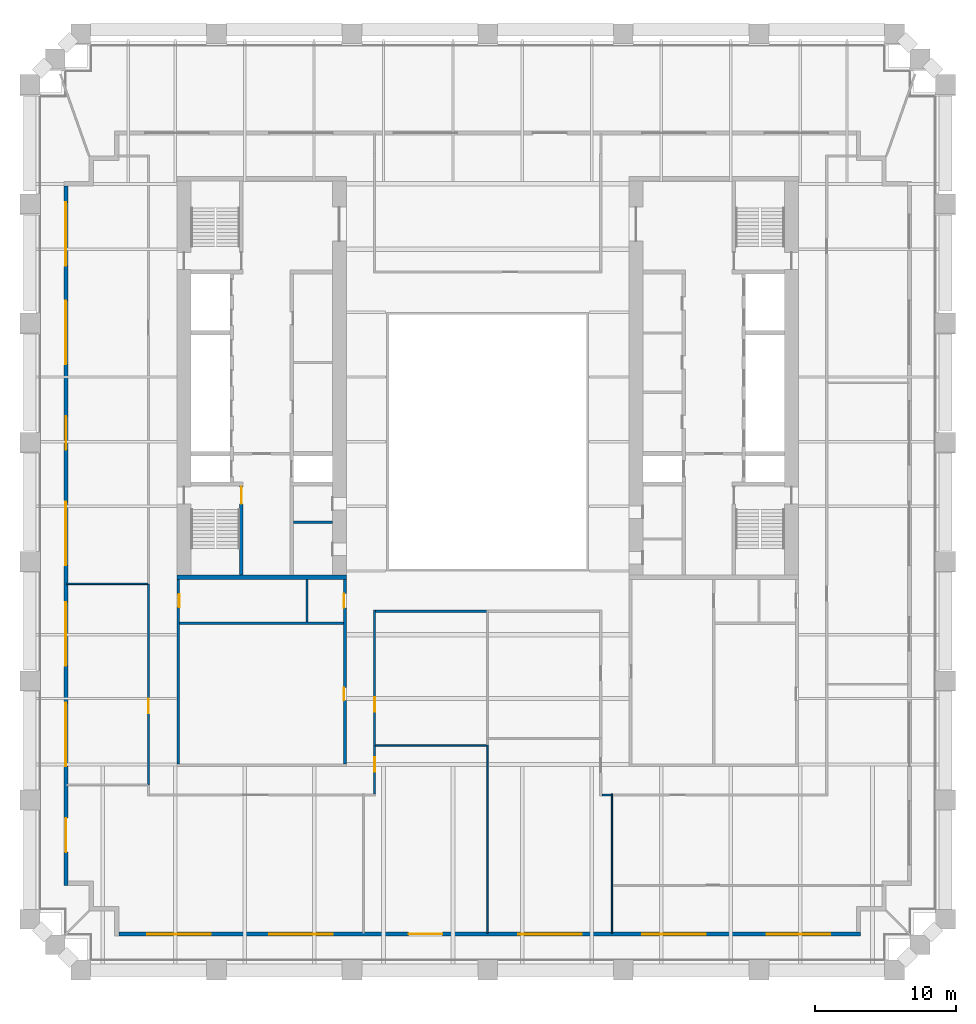
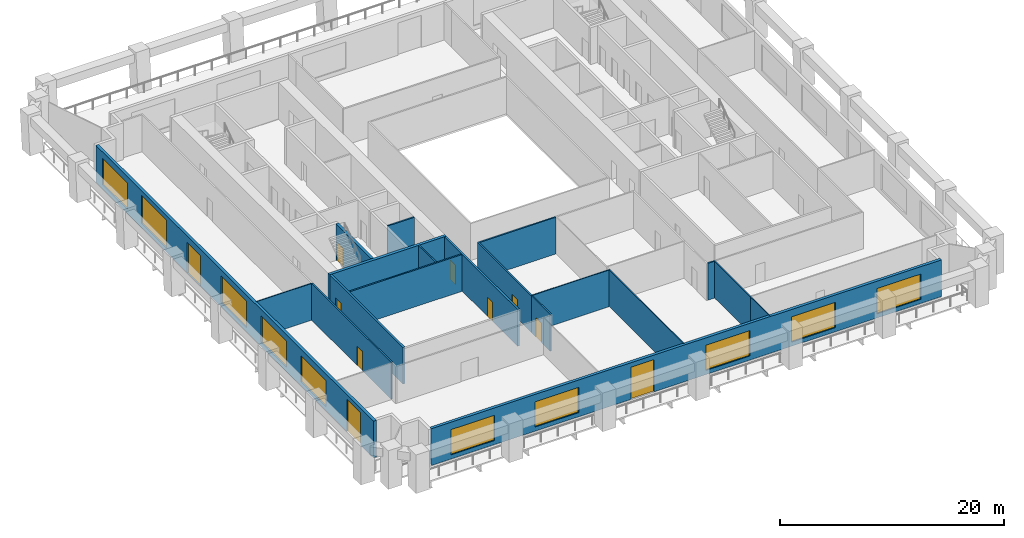
# One storey, part 3 of 8: 19 walls, 10 doors, 10 windows, 20 openings.
"""IFC4 building model written with IfcOpenShell, lengths in metres."""

from ifc_helpers import new_model, si_unit, direction, frame, frame_2d, origin, place, context, subcontext, project, spatial, rectangle, extrude, material, layer, layer_set, type_object, element, fill, save


model = new_model("IFC4")

# Units and contexts
model_context = context("Model", 3, precision=1e-05, world=origin(), true_north=direction((0.0, 1.0)))
body_context = subcontext(model_context, "Body", "Model", "MODEL_VIEW")
ifc_project = project(units=[si_unit("LENGTHUNIT", "METRE"), si_unit("AREAUNIT", "SQUARE_METRE"), si_unit("VOLUMEUNIT", "CUBIC_METRE"), si_unit("PLANEANGLEUNIT", "RADIAN"), si_unit("MASSUNIT", "GRAM", prefix="KILO")], contexts=[model_context])

# Site, building, storey
site_placement = place(None, origin())
site = spatial("IfcSite", under=ifc_project, at=site_placement, CompositionType="ELEMENT")
building_placement = place(site_placement, origin())
building = spatial("IfcBuilding", under=site, at=building_placement, Name="Ogive Exchange Tower", CompositionType="ELEMENT")
storey_placement = place(building_placement, frame((0.0, 0.0, 81.60009765625)))
storey = spatial("IfcBuildingStorey", under=building, at=storey_placement, Name="L17", CompositionType="ELEMENT", Elevation=81.60009765625)

# Walls
ifc_material_1 = material(Name="Gypsum board partition")
ifc_layer_1 = layer(ifc_material_1, 0.14990234375)
ifc_layer_set_1 = layer_set([ifc_layer_1], Name="Core room partition 150 gypsum")
wall_type_1 = type_object("IfcWallType", Name="Core room partition 150 gypsum", PredefinedType="PARTITIONING", material=ifc_layer_set_1)
wall_1_placement = place(storey_placement, frame((-13.75, 1.300048828125, 0.0), z_axis=(0.0, 0.0, 1.0), x_axis=(1.0, 0.0, 0.0)))
element("IfcWall", 1, at=wall_1_placement, inside=storey, type_object=wall_type_1, Name="W south room partition", PredefinedType="PARTITIONING", context=body_context, shape_type="SweptSolid", body=[
    extrude(rectangle(XDim=2.75, YDim=0.14990234375, at=frame_2d((1.375, 0.0))), origin(), (0.0, 0.0, 1.0), 4.0),
])
wall_2_placement = place(storey_placement, frame((-21.800048828125, -5.85009765625, 0.0), z_axis=(0.0, 0.0, 1.0), x_axis=(1.0, 0.0, 0.0)))
element("IfcWall", 2, at=wall_2_placement, inside=storey, type_object=wall_type_1, Name="W annex S wc strip wall 00", PredefinedType="PARTITIONING", context=body_context, shape_type="SweptSolid", body=[
    extrude(rectangle(XDim=11.60009765625, YDim=0.14990234375, at=frame_2d((5.800048828125, 0.0))), origin(), (0.0, 0.0, 1.0), 4.0),
])
wall_3_placement = place(storey_placement, frame((-12.800048828125, -5.77490234375, 0.0), z_axis=(0.0, 0.0, 1.0), x_axis=(0.0, 1.0, 0.0)))
element("IfcWall", 3, at=wall_3_placement, inside=storey, type_object=wall_type_1, Name="W annex S wc partition 00", PredefinedType="PARTITIONING", context=body_context, shape_type="SweptSolid", body=[
    extrude(rectangle(XDim=3.02490234375, YDim=0.14990234375, at=frame_2d((1.512451171875, 0.0))), origin(), (0.0, 0.0, 1.0), 4.0),
])

# Wall, opening, door
ifc_material_2 = material(Name="Fire partition EI 60 150")
ifc_layer_2 = layer(ifc_material_2, 0.14990234375)
ifc_layer_set_2 = layer_set([ifc_layer_2], Name="Fire partition EI 60 150")
wall_type_2 = type_object("IfcWallType", Name="Fire partition EI 60 150", PredefinedType="PARTITIONING", material=ifc_layer_set_2)
wall_4_placement = place(storey_placement, frame((-24.0, -17.2900390625, 0.0), z_axis=(0.0, 0.0, 1.0), x_axis=(0.0, 1.0, 0.0)))
wall_4 = element("IfcWall", 4, at=wall_4_placement, inside=storey, type_object=wall_type_2, Name="L17-PWL-003", PredefinedType="PARTITIONING", context=body_context, shape_type="SweptSolid", body=[
    extrude(rectangle(XDim=14.22998046875, YDim=0.14990234375, at=frame_2d((7.114990234375, 0.0))), origin(), (0.0, 0.0, 1.0), 4.0),
])
opening_1_placement = place(wall_4_placement, frame((5.080078125, 0.0, 0.0)))
opening_1 = element("IfcOpeningElement", 5, at=opening_1_placement, cuts=wall_4, Name="Opening L17-I11", PredefinedType="OPENING", context=body_context, shape_type="SweptSolid", body=[
    extrude(rectangle(XDim=1.0, YDim=2.10009765625, at=frame_2d((0.5, 1.050048828125))), frame((0.0, 0.0849609375, 0.0), z_axis=(0.0, -1.0, 0.0), x_axis=(1.0, 0.0, 0.0)), (0.0, 0.0, 1.0), 0.169921875),
])
ifc_material_3 = material(Name="Fire door FD 30S 1000 x 2100")
door_type_1 = type_object("IfcDoorType", Name="Fire door FD 30S 1000 x 2100", OperationType="NOTDEFINED", PredefinedType="DOOR", material=ifc_material_3)
door_1_placement = place(opening_1_placement, origin())
door_1 = element("IfcDoor", 6, at=door_1_placement, inside=storey, type_object=door_type_1, Name="L17-IDR-011", ObjectType="DT3", OperationType="SINGLE_SWING_LEFT", OverallHeight=2.10009765625, OverallWidth=1.0, PredefinedType="DOOR", context=body_context, shape_type="SweptSolid", body=[
    extrude(rectangle(XDim=1.0, YDim=2.10009765625, at=frame_2d((0.5, 1.050048828125))), frame((0.0, 0.02490234375, 0.0), z_axis=(0.0, -1.0, 0.0), x_axis=(1.0, 0.0, 0.0)), (0.0, 0.0, 1.0), 0.050048828125),
])
fill(opening_1, door_1)

wall_5_placement = place(storey_placement, frame((-8.0, -14.550048828125, 0.0), z_axis=(0.0, 0.0, 1.0), x_axis=(0.0, -1.0, 0.0)))
wall_5 = element("IfcWall", 7, at=wall_5_placement, inside=storey, type_object=wall_type_2, Name="L17-PWL-011", PredefinedType="PARTITIONING", context=body_context, shape_type="SweptSolid", body=[
    extrude(rectangle(XDim=3.375, YDim=0.14990234375, at=frame_2d((1.6875, 0.0))), origin(), (0.0, 0.0, 1.0), 4.0),
])
opening_2_placement = place(wall_5_placement, frame((0.800048828125, 0.0, 0.0)))
opening_2 = element("IfcOpeningElement", 8, at=opening_2_placement, cuts=wall_5, Name="Opening L17-I08", PredefinedType="OPENING", context=body_context, shape_type="SweptSolid", body=[
    extrude(rectangle(XDim=1.0, YDim=2.10009765625, at=frame_2d((0.5, 1.050048828125))), frame((0.0, 0.0849609375, 0.0), z_axis=(0.0, -1.0, 0.0), x_axis=(1.0, 0.0, 0.0)), (0.0, 0.0, 1.0), 0.169921875),
])
door_2_placement = place(opening_2_placement, origin())
door_2 = element("IfcDoor", 9, at=door_2_placement, inside=storey, type_object=door_type_1, Name="L17-IDR-008", ObjectType="DT3", OperationType="SINGLE_SWING_RIGHT", OverallHeight=2.10009765625, OverallWidth=1.0, PredefinedType="DOOR", context=body_context, shape_type="SweptSolid", body=[
    extrude(rectangle(XDim=1.0, YDim=2.10009765625, at=frame_2d((0.5, 1.050048828125))), frame((0.0, 0.02490234375, 0.0), z_axis=(0.0, -1.0, 0.0), x_axis=(1.0, 0.0, 0.0)), (0.0, 0.0, 1.0), 0.050048828125),
])
fill(opening_2, door_2)

wall_6_placement = place(storey_placement, frame((-8.0, -4.925048828125, 0.0), z_axis=(0.0, 0.0, 1.0), x_axis=(0.0, -1.0, 0.0)))
wall_6 = element("IfcWall", 10, at=wall_6_placement, inside=storey, type_object=wall_type_2, Name="L17-PWL-012", PredefinedType="PARTITIONING", context=body_context, shape_type="SweptSolid", body=[
    extrude(rectangle(XDim=9.625, YDim=0.14990234375, at=frame_2d((4.8125, 0.0))), origin(), (0.0, 0.0, 1.0), 4.0),
])
opening_3_placement = place(wall_6_placement, frame((6.175048828125, 0.0, 0.0)))
opening_3 = element("IfcOpeningElement", 11, at=opening_3_placement, cuts=wall_6, Name="Opening L17-I07", PredefinedType="OPENING", context=body_context, shape_type="SweptSolid", body=[
    extrude(rectangle(XDim=1.0, YDim=2.10009765625, at=frame_2d((0.5, 1.050048828125))), frame((0.0, 0.0849609375, 0.0), z_axis=(0.0, -1.0, 0.0), x_axis=(1.0, 0.0, 0.0)), (0.0, 0.0, 1.0), 0.169921875),
])
door_3_placement = place(opening_3_placement, origin())
door_3 = element("IfcDoor", 12, at=door_3_placement, inside=storey, type_object=door_type_1, Name="L17-IDR-007", ObjectType="DT3", OperationType="SINGLE_SWING_LEFT", OverallHeight=2.10009765625, OverallWidth=1.0, PredefinedType="DOOR", context=body_context, shape_type="SweptSolid", body=[
    extrude(rectangle(XDim=1.0, YDim=2.10009765625, at=frame_2d((0.5, 1.050048828125))), frame((0.0, 0.02490234375, 0.0), z_axis=(0.0, -1.0, 0.0), x_axis=(1.0, 0.0, 0.0)), (0.0, 0.0, 1.0), 0.050048828125),
])
fill(opening_3, door_3)

# Walls
wall_7_placement = place(storey_placement, frame((-0.050048828125, -5.0, 0.0), z_axis=(0.0, 0.0, 1.0), x_axis=(-1.0, 0.0, 0.0)))
element("IfcWall", 13, at=wall_7_placement, inside=storey, type_object=wall_type_2, Name="L17-PWL-020", PredefinedType="PARTITIONING", context=body_context, shape_type="SweptSolid", body=[
    extrude(rectangle(XDim=7.875, YDim=0.14990234375, at=frame_2d((3.9375, 0.0))), origin(), (0.0, 0.0, 1.0), 4.0),
])
wall_8_placement = place(storey_placement, frame((8.75, -18.0, 0.0), z_axis=(0.0, 0.0, 1.0), x_axis=(-1.0, 0.0, 0.0)))
element("IfcWall", 14, at=wall_8_placement, inside=storey, type_object=wall_type_2, Name="L17-PWL-029", PredefinedType="PARTITIONING", context=body_context, shape_type="SweptSolid", body=[
    extrude(rectangle(XDim=0.675048828125, YDim=0.14990234375, at=frame_2d((0.33740234375, 0.0))), origin(), (0.0, 0.0, 1.0), 4.0),
])

# Wall, openings, door, windows
ifc_material_4 = material(Name="Precast concrete C40/50", Category="concrete")
ifc_layer_3 = layer(ifc_material_4, 0.300048828125)
ifc_layer_set_3 = layer_set([ifc_layer_3], Name="Limestone-faced wall 300")
wall_type_3 = type_object("IfcWallType", Name="Limestone-faced wall 300", PredefinedType="STANDARD", material=ifc_layer_set_3)
wall_9_placement = place(storey_placement, frame((-26.10009765625, -27.85009765625, 0.0), z_axis=(0.0, 0.0, 1.0), x_axis=(1.0, 0.0, 0.0)))
wall_9 = element("IfcWall", 15, at=wall_9_placement, inside=storey, type_object=wall_type_3, Name="External wall S1", PredefinedType="STANDARD", context=body_context, shape_type="SweptSolid", body=[
    extrude(rectangle(XDim=52.5, YDim=0.300048828125, at=frame_2d((26.25, 0.0))), origin(), (0.0, 0.0, 1.0), 4.0),
])
opening_4_placement = place(wall_9_placement, frame((2.0, 0.0, 0.449951171875)))
opening_4 = element("IfcOpeningElement", 16, at=opening_4_placement, cuts=wall_9, Name="Opening W1H", PredefinedType="OPENING", context=body_context, shape_type="SweptSolid", body=[
    extrude(rectangle(XDim=4.5, YDim=2.75, at=frame_2d((2.25, 1.375))), frame((0.0, 0.159912109375, 0.0), z_axis=(0.0, -1.0, 0.0), x_axis=(1.0, 0.0, 0.0)), (0.0, 0.0, 1.0), 0.320068359375),
])
opening_5_placement = place(wall_9_placement, frame((10.64990234375, 0.0, 0.449951171875)))
opening_5 = element("IfcOpeningElement", 17, at=opening_5_placement, cuts=wall_9, Name="Opening W1H", PredefinedType="OPENING", context=body_context, shape_type="SweptSolid", body=[
    extrude(rectangle(XDim=4.5, YDim=2.75, at=frame_2d((2.25, 1.375))), frame((0.0, 0.159912109375, 0.0), z_axis=(0.0, -1.0, 0.0), x_axis=(1.0, 0.0, 0.0)), (0.0, 0.0, 1.0), 0.320068359375),
])
opening_6_placement = place(wall_9_placement, frame((20.5, 0.0, 0.0)))
opening_6 = element("IfcOpeningElement", 18, at=opening_6_placement, cuts=wall_9, Name="Opening D1", PredefinedType="OPENING", context=body_context, shape_type="SweptSolid", body=[
    extrude(rectangle(XDim=2.39990234375, YDim=3.5, at=frame_2d((1.199951171875, 1.75))), frame((0.0, 0.159912109375, 0.0), z_axis=(0.0, -1.0, 0.0), x_axis=(1.0, 0.0, 0.0)), (0.0, 0.0, 1.0), 0.320068359375),
])
opening_7_placement = place(wall_9_placement, frame((28.25, 0.0, 0.449951171875)))
opening_7 = element("IfcOpeningElement", 19, at=opening_7_placement, cuts=wall_9, Name="Opening W1H", PredefinedType="OPENING", context=body_context, shape_type="SweptSolid", body=[
    extrude(rectangle(XDim=4.5, YDim=2.75, at=frame_2d((2.25, 1.375))), frame((0.0, 0.159912109375, 0.0), z_axis=(0.0, -1.0, 0.0), x_axis=(1.0, 0.0, 0.0)), (0.0, 0.0, 1.0), 0.320068359375),
])
opening_8_placement = place(wall_9_placement, frame((37.050048828125, 0.0, 0.449951171875)))
opening_8 = element("IfcOpeningElement", 20, at=opening_8_placement, cuts=wall_9, Name="Opening W1H", PredefinedType="OPENING", context=body_context, shape_type="SweptSolid", body=[
    extrude(rectangle(XDim=4.5, YDim=2.75, at=frame_2d((2.25, 1.375))), frame((0.0, 0.159912109375, 0.0), z_axis=(0.0, -1.0, 0.0), x_axis=(1.0, 0.0, 0.0)), (0.0, 0.0, 1.0), 0.320068359375),
])
opening_9_placement = place(wall_9_placement, frame((45.85009765625, 0.0, 0.449951171875)))
opening_9 = element("IfcOpeningElement", 21, at=opening_9_placement, cuts=wall_9, Name="Opening W1H", PredefinedType="OPENING", context=body_context, shape_type="SweptSolid", body=[
    extrude(rectangle(XDim=4.5, YDim=2.75, at=frame_2d((2.25, 1.375))), frame((0.0, 0.159912109375, 0.0), z_axis=(0.0, -1.0, 0.0), x_axis=(1.0, 0.0, 0.0)), (0.0, 0.0, 1.0), 0.320068359375),
])
ifc_material_5 = material(Name="Clear glass in bronze frame", Category="glass")
door_type_2 = type_object("IfcDoorType", Name="Sliding loggia door 2400 x 3500", OperationType="DOUBLE_DOOR_SLIDING", PredefinedType="DOOR", material=ifc_material_5)
door_4_placement = place(opening_6_placement, origin())
door_4 = element("IfcDoor", 22, at=door_4_placement, inside=storey, type_object=door_type_2, Name="Loggia door S02", OperationType="DOUBLE_DOOR_SLIDING", OverallHeight=3.5, OverallWidth=2.39990234375, PredefinedType="DOOR", context=body_context, shape_type="SweptSolid", body=[
    extrude(rectangle(XDim=2.39990234375, YDim=3.5, at=frame_2d((1.199951171875, 1.75))), frame((0.0, 0.02490234375, 0.0), z_axis=(0.0, -1.0, 0.0), x_axis=(1.0, 0.0, 0.0)), (0.0, 0.0, 1.0), 0.050048828125),
])
fill(opening_6, door_4)
window_type_1 = type_object("IfcWindowType", Name="Twin lancet window 4500 x 2750", PartitioningType="DOUBLE_PANEL_VERTICAL", PredefinedType="WINDOW", material=ifc_material_5)
window_1_placement = place(opening_4_placement, origin())
window_1 = element("IfcWindow", 23, at=window_1_placement, inside=storey, type_object=window_type_1, Name="Window S00", OverallHeight=2.75, OverallWidth=4.5, PartitioningType="DOUBLE_PANEL_VERTICAL", PredefinedType="WINDOW", context=body_context, shape_type="SweptSolid", body=[
    extrude(rectangle(XDim=4.5, YDim=2.75, at=frame_2d((2.25, 1.375))), frame((0.0, 0.030029296875, 0.0), z_axis=(0.0, -1.0, 0.0), x_axis=(1.0, 0.0, 0.0)), (0.0, 0.0, 1.0), 0.06005859375),
])
fill(opening_4, window_1)
window_2_placement = place(opening_5_placement, origin())
window_2 = element("IfcWindow", 24, at=window_2_placement, inside=storey, type_object=window_type_1, Name="Window S01", OverallHeight=2.75, OverallWidth=4.5, PartitioningType="DOUBLE_PANEL_VERTICAL", PredefinedType="WINDOW", context=body_context, shape_type="SweptSolid", body=[
    extrude(rectangle(XDim=4.5, YDim=2.75, at=frame_2d((2.25, 1.375))), frame((0.0, 0.030029296875, 0.0), z_axis=(0.0, -1.0, 0.0), x_axis=(1.0, 0.0, 0.0)), (0.0, 0.0, 1.0), 0.06005859375),
])
fill(opening_5, window_2)
window_3_placement = place(opening_7_placement, origin())
window_3 = element("IfcWindow", 25, at=window_3_placement, inside=storey, type_object=window_type_1, Name="Window S03", OverallHeight=2.75, OverallWidth=4.5, PartitioningType="DOUBLE_PANEL_VERTICAL", PredefinedType="WINDOW", context=body_context, shape_type="SweptSolid", body=[
    extrude(rectangle(XDim=4.5, YDim=2.75, at=frame_2d((2.25, 1.375))), frame((0.0, 0.030029296875, 0.0), z_axis=(0.0, -1.0, 0.0), x_axis=(1.0, 0.0, 0.0)), (0.0, 0.0, 1.0), 0.06005859375),
])
fill(opening_7, window_3)
window_4_placement = place(opening_8_placement, origin())
window_4 = element("IfcWindow", 26, at=window_4_placement, inside=storey, type_object=window_type_1, Name="Window S04", OverallHeight=2.75, OverallWidth=4.5, PartitioningType="DOUBLE_PANEL_VERTICAL", PredefinedType="WINDOW", context=body_context, shape_type="SweptSolid", body=[
    extrude(rectangle(XDim=4.5, YDim=2.75, at=frame_2d((2.25, 1.375))), frame((0.0, 0.030029296875, 0.0), z_axis=(0.0, -1.0, 0.0), x_axis=(1.0, 0.0, 0.0)), (0.0, 0.0, 1.0), 0.06005859375),
])
fill(opening_8, window_4)
window_5_placement = place(opening_9_placement, origin())
window_5 = element("IfcWindow", 27, at=window_5_placement, inside=storey, type_object=window_type_1, Name="Window S05", OverallHeight=2.75, OverallWidth=4.5, PartitioningType="DOUBLE_PANEL_VERTICAL", PredefinedType="WINDOW", context=body_context, shape_type="SweptSolid", body=[
    extrude(rectangle(XDim=4.5, YDim=2.75, at=frame_2d((2.25, 1.375))), frame((0.0, 0.030029296875, 0.0), z_axis=(0.0, -1.0, 0.0), x_axis=(1.0, 0.0, 0.0)), (0.0, 0.0, 1.0), 0.06005859375),
])
fill(opening_9, window_5)

# Wall, openings, doors, windows
wall_10_placement = place(storey_placement, frame((-29.85009765625, 25.10009765625, 0.0), z_axis=(0.0, 0.0, 1.0), x_axis=(0.0, -1.0, 0.0)))
wall_10 = element("IfcWall", 28, at=wall_10_placement, inside=storey, type_object=wall_type_3, Name="External wall W4", PredefinedType="STANDARD", context=body_context, shape_type="SweptSolid", body=[
    extrude(rectangle(XDim=49.5, YDim=0.300048828125, at=frame_2d((24.75, 0.0))), origin(), (0.0, 0.0, 1.0), 4.0),
])
opening_10_placement = place(wall_10_placement, frame((1.156982421875, 0.0, 0.449951171875)))
opening_10 = element("IfcOpeningElement", 29, at=opening_10_placement, cuts=wall_10, Name="Opening W1D", PredefinedType="OPENING", context=body_context, shape_type="SweptSolid", body=[
    extrude(rectangle(XDim=4.5, YDim=2.875, at=frame_2d((2.25, 1.4375))), frame((0.0, 0.159912109375, 0.0), z_axis=(0.0, -1.0, 0.0), x_axis=(1.0, 0.0, 0.0)), (0.0, 0.0, 1.0), 0.320068359375),
])
opening_11_placement = place(wall_10_placement, frame((8.121337890625, 0.0, 0.449951171875)))
opening_11 = element("IfcOpeningElement", 30, at=opening_11_placement, cuts=wall_10, Name="Opening W1", PredefinedType="OPENING", context=body_context, shape_type="SweptSolid", body=[
    extrude(rectangle(XDim=4.5, YDim=3.050048828125, at=frame_2d((2.25, 1.52490234375))), frame((0.0, 0.159912109375, 0.0), z_axis=(0.0, -1.0, 0.0), x_axis=(1.0, 0.0, 0.0)), (0.0, 0.0, 1.0), 0.320068359375),
])
opening_12_placement = place(wall_10_placement, frame((16.28564453125, 0.0, 0.0)))
opening_12 = element("IfcOpeningElement", 31, at=opening_12_placement, cuts=wall_10, Name="Opening D1C", PredefinedType="OPENING", context=body_context, shape_type="SweptSolid", body=[
    extrude(rectangle(XDim=2.39990234375, YDim=3.324951171875, at=frame_2d((1.199951171875, 1.66259765625))), frame((0.0, 0.159912109375, 0.0), z_axis=(0.0, -1.0, 0.0), x_axis=(1.0, 0.0, 0.0)), (0.0, 0.0, 1.0), 0.320068359375),
])
opening_13_placement = place(wall_10_placement, frame((22.35009765625, 0.0, 0.449951171875)))
opening_13 = element("IfcOpeningElement", 32, at=opening_13_placement, cuts=wall_10, Name="Opening W1D", PredefinedType="OPENING", context=body_context, shape_type="SweptSolid", body=[
    extrude(rectangle(XDim=4.5, YDim=2.875, at=frame_2d((2.25, 1.4375))), frame((0.0, 0.159912109375, 0.0), z_axis=(0.0, -1.0, 0.0), x_axis=(1.0, 0.0, 0.0)), (0.0, 0.0, 1.0), 0.320068359375),
])
opening_14_placement = place(wall_10_placement, frame((29.464111328125, 0.0, 0.449951171875)))
opening_14 = element("IfcOpeningElement", 33, at=opening_14_placement, cuts=wall_10, Name="Opening W1D", PredefinedType="OPENING", context=body_context, shape_type="SweptSolid", body=[
    extrude(rectangle(XDim=4.5, YDim=2.875, at=frame_2d((2.25, 1.4375))), frame((0.0, 0.159912109375, 0.0), z_axis=(0.0, -1.0, 0.0), x_axis=(1.0, 0.0, 0.0)), (0.0, 0.0, 1.0), 0.320068359375),
])
opening_15_placement = place(wall_10_placement, frame((36.57861328125, 0.0, 0.449951171875)))
opening_15 = element("IfcOpeningElement", 34, at=opening_15_placement, cuts=wall_10, Name="Opening W1E", PredefinedType="OPENING", context=body_context, shape_type="SweptSolid", body=[
    extrude(rectangle(XDim=4.5, YDim=2.824951171875, at=frame_2d((2.25, 1.41259765625))), frame((0.0, 0.159912109375, 0.0), z_axis=(0.0, -1.0, 0.0), x_axis=(1.0, 0.0, 0.0)), (0.0, 0.0, 1.0), 0.320068359375),
])
opening_16_placement = place(wall_10_placement, frame((44.742919921875, 0.0, 0.0)))
opening_16 = element("IfcOpeningElement", 35, at=opening_16_placement, cuts=wall_10, Name="Opening D1", PredefinedType="OPENING", context=body_context, shape_type="SweptSolid", body=[
    extrude(rectangle(XDim=2.39990234375, YDim=3.5, at=frame_2d((1.199951171875, 1.75))), frame((0.0, 0.159912109375, 0.0), z_axis=(0.0, -1.0, 0.0), x_axis=(1.0, 0.0, 0.0)), (0.0, 0.0, 1.0), 0.320068359375),
])
door_type_3 = type_object("IfcDoorType", Name="Sliding loggia door 2400 x 3325", OperationType="DOUBLE_DOOR_SLIDING", PredefinedType="DOOR", material=ifc_material_5)
door_5_placement = place(opening_12_placement, origin())
door_5 = element("IfcDoor", 36, at=door_5_placement, inside=storey, type_object=door_type_3, Name="Loggia door W02", OperationType="DOUBLE_DOOR_SLIDING", OverallHeight=3.324951171875, OverallWidth=2.39990234375, PredefinedType="DOOR", context=body_context, shape_type="SweptSolid", body=[
    extrude(rectangle(XDim=2.39990234375, YDim=3.324951171875, at=frame_2d((1.199951171875, 1.66259765625))), frame((0.0, 0.02490234375, 0.0), z_axis=(0.0, -1.0, 0.0), x_axis=(1.0, 0.0, 0.0)), (0.0, 0.0, 1.0), 0.050048828125),
])
fill(opening_12, door_5)
door_6_placement = place(opening_16_placement, origin())
door_6 = element("IfcDoor", 37, at=door_6_placement, inside=storey, type_object=door_type_2, Name="Loggia door W06", OperationType="DOUBLE_DOOR_SLIDING", OverallHeight=3.5, OverallWidth=2.39990234375, PredefinedType="DOOR", context=body_context, shape_type="SweptSolid", body=[
    extrude(rectangle(XDim=2.39990234375, YDim=3.5, at=frame_2d((1.199951171875, 1.75))), frame((0.0, 0.02490234375, 0.0), z_axis=(0.0, -1.0, 0.0), x_axis=(1.0, 0.0, 0.0)), (0.0, 0.0, 1.0), 0.050048828125),
])
fill(opening_16, door_6)
window_type_2 = type_object("IfcWindowType", Name="Twin lancet window 4500 x 2825", PartitioningType="DOUBLE_PANEL_VERTICAL", PredefinedType="WINDOW", material=ifc_material_5)
window_6_placement = place(opening_15_placement, origin())
window_6 = element("IfcWindow", 38, at=window_6_placement, inside=storey, type_object=window_type_2, Name="Window W05", OverallHeight=2.824951171875, OverallWidth=4.5, PartitioningType="DOUBLE_PANEL_VERTICAL", PredefinedType="WINDOW", context=body_context, shape_type="SweptSolid", body=[
    extrude(rectangle(XDim=4.5, YDim=2.824951171875, at=frame_2d((2.25, 1.41259765625))), frame((0.0, 0.030029296875, 0.0), z_axis=(0.0, -1.0, 0.0), x_axis=(1.0, 0.0, 0.0)), (0.0, 0.0, 1.0), 0.06005859375),
])
fill(opening_15, window_6)
window_type_3 = type_object("IfcWindowType", Name="Twin lancet window 4500 x 2875", PartitioningType="DOUBLE_PANEL_VERTICAL", PredefinedType="WINDOW", material=ifc_material_5)
window_7_placement = place(opening_10_placement, origin())
window_7 = element("IfcWindow", 39, at=window_7_placement, inside=storey, type_object=window_type_3, Name="Window W00", OverallHeight=2.875, OverallWidth=4.5, PartitioningType="DOUBLE_PANEL_VERTICAL", PredefinedType="WINDOW", context=body_context, shape_type="SweptSolid", body=[
    extrude(rectangle(XDim=4.5, YDim=2.875, at=frame_2d((2.25, 1.4375))), frame((0.0, 0.030029296875, 0.0), z_axis=(0.0, -1.0, 0.0), x_axis=(1.0, 0.0, 0.0)), (0.0, 0.0, 1.0), 0.06005859375),
])
fill(opening_10, window_7)
window_8_placement = place(opening_13_placement, origin())
window_8 = element("IfcWindow", 40, at=window_8_placement, inside=storey, type_object=window_type_3, Name="Window W03", OverallHeight=2.875, OverallWidth=4.5, PartitioningType="DOUBLE_PANEL_VERTICAL", PredefinedType="WINDOW", context=body_context, shape_type="SweptSolid", body=[
    extrude(rectangle(XDim=4.5, YDim=2.875, at=frame_2d((2.25, 1.4375))), frame((0.0, 0.030029296875, 0.0), z_axis=(0.0, -1.0, 0.0), x_axis=(1.0, 0.0, 0.0)), (0.0, 0.0, 1.0), 0.06005859375),
])
fill(opening_13, window_8)
window_9_placement = place(opening_14_placement, origin())
window_9 = element("IfcWindow", 41, at=window_9_placement, inside=storey, type_object=window_type_3, Name="Window W04", OverallHeight=2.875, OverallWidth=4.5, PartitioningType="DOUBLE_PANEL_VERTICAL", PredefinedType="WINDOW", context=body_context, shape_type="SweptSolid", body=[
    extrude(rectangle(XDim=4.5, YDim=2.875, at=frame_2d((2.25, 1.4375))), frame((0.0, 0.030029296875, 0.0), z_axis=(0.0, -1.0, 0.0), x_axis=(1.0, 0.0, 0.0)), (0.0, 0.0, 1.0), 0.06005859375),
])
fill(opening_14, window_9)
window_type_4 = type_object("IfcWindowType", Name="Twin lancet window 4500 x 3050", PartitioningType="DOUBLE_PANEL_VERTICAL", PredefinedType="WINDOW", material=ifc_material_5)
window_10_placement = place(opening_11_placement, origin())
window_10 = element("IfcWindow", 42, at=window_10_placement, inside=storey, type_object=window_type_4, Name="Window W01", OverallHeight=3.050048828125, OverallWidth=4.5, PartitioningType="DOUBLE_PANEL_VERTICAL", PredefinedType="WINDOW", context=body_context, shape_type="SweptSolid", body=[
    extrude(rectangle(XDim=4.5, YDim=3.050048828125, at=frame_2d((2.25, 1.52490234375))), frame((0.0, 0.030029296875, 0.0), z_axis=(0.0, -1.0, 0.0), x_axis=(1.0, 0.0, 0.0)), (0.0, 0.0, 1.0), 0.06005859375),
])
fill(opening_11, window_10)

# Walls
ifc_material_6 = material(Name="Partition 100 gypsum")
ifc_layer_4 = layer(ifc_material_6, 0.10009765625)
ifc_layer_set_4 = layer_set([ifc_layer_4], Name="Partition 100 gypsum")
wall_type_4 = type_object("IfcWallType", Name="Partition 100 gypsum", PredefinedType="PARTITIONING", material=ifc_layer_set_4)
wall_11_placement = place(storey_placement, frame((-24.074951171875, -3.06005859375, 0.0), z_axis=(0.0, 0.0, 1.0), x_axis=(-1.0, 0.0, 0.0)))
element("IfcWall", 43, at=wall_11_placement, inside=storey, type_object=wall_type_4, Name="L17-PWL-004", PredefinedType="PARTITIONING", context=body_context, shape_type="SweptSolid", body=[
    extrude(rectangle(XDim=5.72509765625, YDim=0.10009765625, at=frame_2d((2.862548828125, 0.0))), origin(), (0.0, 0.0, 1.0), 4.0),
])
wall_12_placement = place(storey_placement, frame((0.0, -27.800048828125, 0.0), z_axis=(0.0, 0.0, 1.0), x_axis=(0.0, 1.0, 0.0)))
element("IfcWall", 44, at=wall_12_placement, inside=storey, type_object=wall_type_4, Name="L17-PWL-015", PredefinedType="PARTITIONING", context=body_context, shape_type="SweptSolid", body=[
    extrude(rectangle(XDim=13.35009765625, YDim=0.10009765625, at=frame_2d((6.675048828125, 0.0))), origin(), (0.0, 0.0, 1.0), 4.0),
])
wall_13_placement = place(storey_placement, frame((-0.050048828125, -14.5, 0.0), z_axis=(0.0, 0.0, 1.0), x_axis=(-1.0, 0.0, 0.0)))
element("IfcWall", 45, at=wall_13_placement, inside=storey, type_object=wall_type_4, Name="L17-PWL-016", PredefinedType="PARTITIONING", context=body_context, shape_type="SweptSolid", body=[
    extrude(rectangle(XDim=7.875, YDim=0.10009765625, at=frame_2d((3.9375, 0.0))), origin(), (0.0, 0.0, 1.0), 4.0),
])
wall_14_placement = place(storey_placement, frame((8.800048828125, -27.800048828125, 0.0), z_axis=(0.0, 0.0, 1.0), x_axis=(0.0, 1.0, 0.0)))
element("IfcWall", 46, at=wall_14_placement, inside=storey, type_object=wall_type_4, Name="L17-PWL-026", PredefinedType="PARTITIONING", context=body_context, shape_type="SweptSolid", body=[
    extrude(rectangle(XDim=3.35009765625, YDim=0.10009765625, at=frame_2d((1.675048828125, 0.0))), origin(), (0.0, 0.0, 1.0), 4.0),
])
wall_15_placement = place(storey_placement, frame((8.800048828125, -24.449951171875, 0.0), z_axis=(0.0, 0.0, 1.0), x_axis=(0.0, 1.0, 0.0)))
element("IfcWall", 47, at=wall_15_placement, inside=storey, type_object=wall_type_4, Name="L17-PWL-027", PredefinedType="PARTITIONING", context=body_context, shape_type="SweptSolid", body=[
    extrude(rectangle(XDim=6.52490234375, YDim=0.10009765625, at=frame_2d((3.262451171875, 0.0))), origin(), (0.0, 0.0, 1.0), 4.0),
])

# Wall, opening, door
ifc_material_7 = material(Name="Concrete C70/85", Category="concrete")
ifc_layer_5 = layer(ifc_material_7, 0.199951171875)
ifc_layer_set_5 = layer_set([ifc_layer_5], Name="RC core wall 200 C70/85")
wall_type_5 = type_object("IfcWallType", Name="RC core wall 200 C70/85", PredefinedType="SHEAR", material=ifc_layer_set_5)
wall_16_placement = place(storey_placement, frame((-21.89990234375, -15.800048828125, 0.0), z_axis=(0.0, 0.0, 1.0), x_axis=(0.0, 1.0, 0.0)))
wall_16 = element("IfcWall", 48, at=wall_16_placement, inside=storey, type_object=wall_type_5, Name="W annex S outer wall", PredefinedType="SHEAR", context=body_context, shape_type="SweptSolid", body=[
    extrude(rectangle(XDim=13.050048828125, YDim=0.199951171875, at=frame_2d((6.52490234375, 0.0))), origin(), (0.0, 0.0, 1.0), 4.0),
])
opening_17_placement = place(wall_16_placement, frame((11.08740234375, 0.0, 0.0)))
opening_17 = element("IfcOpeningElement", 49, at=opening_17_placement, cuts=wall_16, Name="Opening L17-C21", PredefinedType="OPENING", context=body_context, shape_type="SweptSolid", body=[
    extrude(rectangle(XDim=0.89990234375, YDim=2.10009765625, at=frame_2d((0.449951171875, 1.050048828125))), frame((0.0, 0.10986328125, 0.0), z_axis=(0.0, -1.0, 0.0), x_axis=(1.0, 0.0, 0.0)), (0.0, 0.0, 1.0), 0.219970703125),
])
ifc_material_8 = material(Name="Timber fire door", Category="wood")
door_type_4 = type_object("IfcDoorType", Name="Core room door FD30S 900 x 2100", OperationType="NOTDEFINED", PredefinedType="DOOR", material=ifc_material_8)
door_7_placement = place(opening_17_placement, frame((0.89990234375, -0.14990234375, 0.0), z_axis=(0.0, 0.0, 1.0), x_axis=(-1.0, 0.0, 0.0)))
door_7 = element("IfcDoor", 50, at=door_7_placement, inside=storey, type_object=door_type_4, Name="Core room door", ObjectType="CD6", OperationType="SINGLE_SWING_LEFT", OverallHeight=2.10009765625, OverallWidth=0.89990234375, PredefinedType="DOOR", context=body_context, shape_type="SweptSolid", body=[
    extrude(rectangle(XDim=0.89990234375, YDim=2.10009765625, at=frame_2d((0.449951171875, 1.050048828125))), frame((0.0, -0.0498046875, 0.0), z_axis=(0.0, -1.0, 0.0), x_axis=(1.0, 0.0, 0.0)), (0.0, 0.0, 1.0), 0.050048828125),
])
fill(opening_17, door_7)

# Wall, openings, doors
wall_17_placement = place(storey_placement, frame((-10.10009765625, -15.800048828125, 0.0), z_axis=(0.0, 0.0, 1.0), x_axis=(0.0, 1.0, 0.0)))
wall_17 = element("IfcWall", 51, at=wall_17_placement, inside=storey, type_object=wall_type_5, Name="W annex S inner wall", PredefinedType="SHEAR", context=body_context, shape_type="SweptSolid", body=[
    extrude(rectangle(XDim=13.050048828125, YDim=0.199951171875, at=frame_2d((6.52490234375, 0.0))), origin(), (0.0, 0.0, 1.0), 4.0),
])
opening_18_placement = place(wall_17_placement, frame((4.487548828125, 0.0, 0.0)))
opening_18 = element("IfcOpeningElement", 52, at=opening_18_placement, cuts=wall_17, Name="Opening L17-C19", PredefinedType="OPENING", context=body_context, shape_type="SweptSolid", body=[
    extrude(rectangle(XDim=0.89990234375, YDim=2.10009765625, at=frame_2d((0.449951171875, 1.050048828125))), frame((0.0, 0.10986328125, 0.0), z_axis=(0.0, -1.0, 0.0), x_axis=(1.0, 0.0, 0.0)), (0.0, 0.0, 1.0), 0.219970703125),
])
opening_19_placement = place(wall_17_placement, frame((11.03759765625, 0.0, 0.0)))
opening_19 = element("IfcOpeningElement", 53, at=opening_19_placement, cuts=wall_17, Name="Opening L17-C20", PredefinedType="OPENING", context=body_context, shape_type="SweptSolid", body=[
    extrude(rectangle(XDim=1.0, YDim=2.10009765625, at=frame_2d((0.5, 1.050048828125))), frame((0.0, 0.10986328125, 0.0), z_axis=(0.0, -1.0, 0.0), x_axis=(1.0, 0.0, 0.0)), (0.0, 0.0, 1.0), 0.219970703125),
])
door_type_5 = type_object("IfcDoorType", Name="Accessible WC door FD30S 1000 x 2100", OperationType="NOTDEFINED", PredefinedType="DOOR", material=ifc_material_8)
door_8_placement = place(opening_19_placement, origin())
door_8 = element("IfcDoor", 54, at=door_8_placement, inside=storey, type_object=door_type_5, Name="Accessible WC door", ObjectType="CD7", OperationType="SINGLE_SWING_RIGHT", OverallHeight=2.10009765625, OverallWidth=1.0, PredefinedType="DOOR", context=body_context, shape_type="SweptSolid", body=[
    extrude(rectangle(XDim=1.0, YDim=2.10009765625, at=frame_2d((0.5, 1.050048828125))), frame((0.0, 0.10009765625, 0.0), z_axis=(0.0, -1.0, 0.0), x_axis=(1.0, 0.0, 0.0)), (0.0, 0.0, 1.0), 0.050048828125),
])
fill(opening_19, door_8)
ifc_material_9 = material(Name="Steel fire door", Category="steel")
door_type_6 = type_object("IfcDoorType", Name="Riser door FD60 900 x 2100", OperationType="NOTDEFINED", PredefinedType="DOOR", material=ifc_material_9)
door_9_placement = place(opening_18_placement, origin())
door_9 = element("IfcDoor", 55, at=door_9_placement, inside=storey, type_object=door_type_6, Name="Riser door", ObjectType="CD2", OperationType="SINGLE_SWING_LEFT", OverallHeight=2.10009765625, OverallWidth=0.89990234375, PredefinedType="DOOR", context=body_context, shape_type="SweptSolid", body=[
    extrude(rectangle(XDim=0.89990234375, YDim=2.10009765625, at=frame_2d((0.449951171875, 1.050048828125))), frame((0.0, 0.10009765625, 0.0), z_axis=(0.0, -1.0, 0.0), x_axis=(1.0, 0.0, 0.0)), (0.0, 0.0, 1.0), 0.050048828125),
])
fill(opening_18, door_9)

# Wall, opening, door
ifc_layer_6 = layer(ifc_material_7, 0.25)
ifc_layer_set_6 = layer_set([ifc_layer_6], Name="RC core wall 250 C70/85")
wall_type_6 = type_object("IfcWallType", Name="RC core wall 250 C70/85", PredefinedType="SHEAR", material=ifc_layer_set_6)
wall_18_placement = place(storey_placement, frame((-17.425048828125, -2.449951171875, 0.0), z_axis=(0.0, 0.0, 1.0), x_axis=(0.0, 1.0, 0.0)))
wall_18 = element("IfcWall", 56, at=wall_18_placement, inside=storey, type_object=wall_type_6, Name="W stair S front wall", PredefinedType="SHEAR", context=body_context, shape_type="SweptSolid", body=[
    extrude(rectangle(XDim=6.300048828125, YDim=0.25, at=frame_2d((3.14990234375, 0.0))), origin(), (0.0, 0.0, 1.0), 4.0),
])
opening_20_placement = place(wall_18_placement, frame((5.050048828125, 0.0, 0.0)))
opening_20 = element("IfcOpeningElement", 57, at=opening_20_placement, cuts=wall_18, Name="Opening L17-C13", PredefinedType="OPENING", context=body_context, shape_type="SweptSolid", body=[
    extrude(rectangle(XDim=1.199951171875, YDim=2.10009765625, at=frame_2d((0.60009765625, 1.050048828125))), frame((0.0, 0.135009765625, 0.0), z_axis=(0.0, -1.0, 0.0), x_axis=(1.0, 0.0, 0.0)), (0.0, 0.0, 1.0), 0.27001953125),
])
door_type_7 = type_object("IfcDoorType", Name="Stair door FD90 1200 x 2100", OperationType="NOTDEFINED", PredefinedType="DOOR", material=ifc_material_9)
door_10_placement = place(opening_20_placement, origin())
door_10 = element("IfcDoor", 58, at=door_10_placement, inside=storey, type_object=door_type_7, Name="Stair door", ObjectType="CD5", OperationType="SINGLE_SWING_LEFT", OverallHeight=2.10009765625, OverallWidth=1.199951171875, PredefinedType="DOOR", context=body_context, shape_type="SweptSolid", body=[
    extrude(rectangle(XDim=1.199951171875, YDim=2.10009765625, at=frame_2d((0.60009765625, 1.050048828125))), frame((0.0, 0.02490234375, 0.0), z_axis=(0.0, -1.0, 0.0), x_axis=(1.0, 0.0, 0.0)), (0.0, 0.0, 1.0), 0.050048828125),
])
fill(opening_20, door_10)

# Wall
ifc_layer_7 = layer(ifc_material_7, 0.300048828125)
ifc_layer_set_7 = layer_set([ifc_layer_7], Name="RC core wall 300 C70/85")
wall_type_7 = type_object("IfcWallType", Name="RC core wall 300 C70/85", PredefinedType="SHEAR", material=ifc_layer_set_7)
wall_19_placement = place(storey_placement, frame((-22.0, -2.60009765625, 0.0), z_axis=(0.0, 0.0, 1.0), x_axis=(1.0, 0.0, 0.0)))
element("IfcWall", 59, at=wall_19_placement, inside=storey, type_object=wall_type_7, Name="W south end wall", PredefinedType="SHEAR", context=body_context, shape_type="SweptSolid", body=[
    extrude(rectangle(XDim=12.0, YDim=0.300048828125, at=frame_2d((6.0, 0.0))), origin(), (0.0, 0.0, 1.0), 4.0),
])

save(model, "model.ifc")
